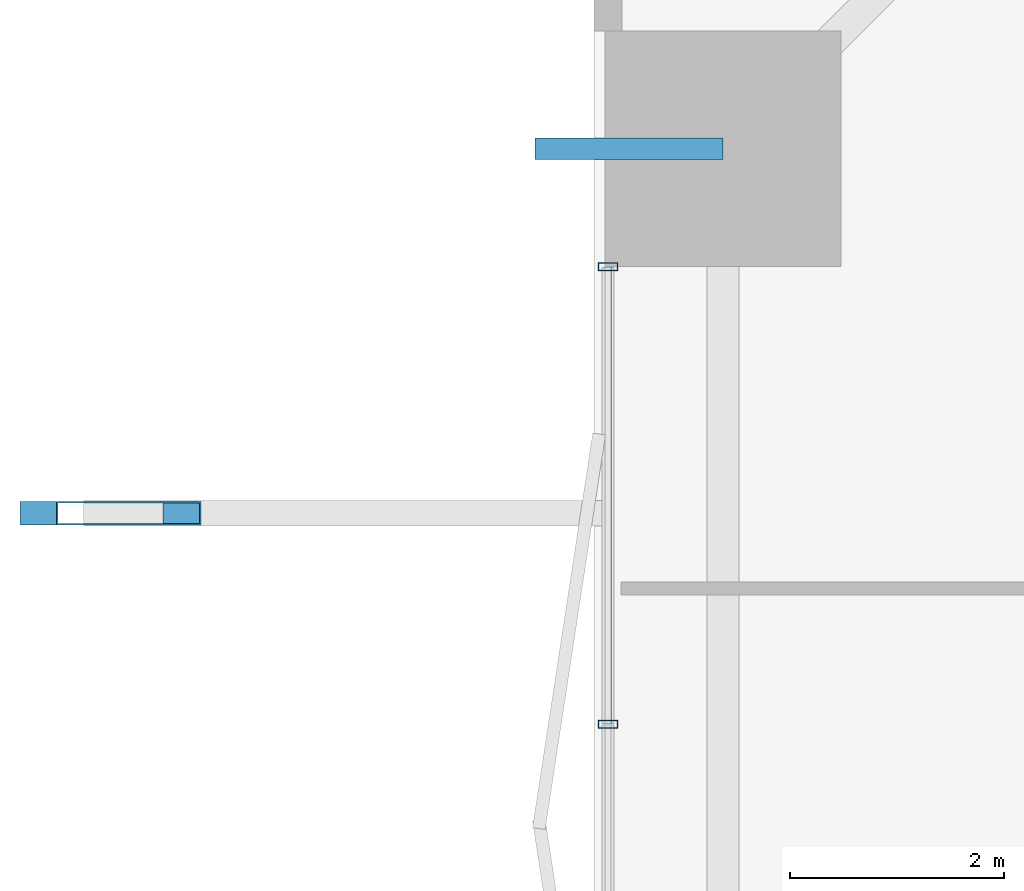
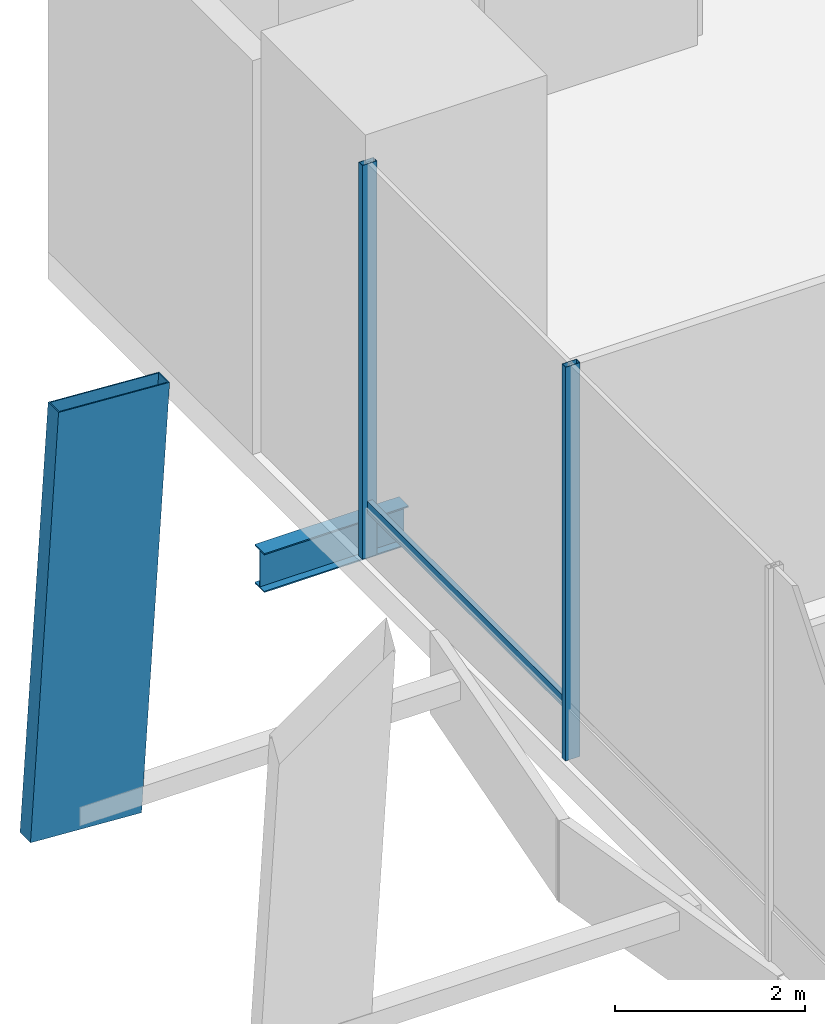
# One storey, part 11 of 24: 4 members, 1 beam, 1 element without a shape of its own.
"""IFC4 building model written with IfcOpenShell, lengths in metres."""

from ifc_helpers import new_model, si_unit, direction, frame, origin, origin_2d, place, context, subcontext, project, spatial, hollow_rectangle, i_section, extrude, material, layer, layer_set, material_profile, profile_set, type_object, element, aggregate, save


model = new_model("IFC4")

# Units and contexts
model_context = context("Model", 3, precision=1e-05, world=origin(), true_north=direction((0.0, 1.0)))
body_context = subcontext(model_context, "Body", "Model", "MODEL_VIEW")
ifc_project = project(units=[si_unit("LENGTHUNIT", "METRE"), si_unit("AREAUNIT", "SQUARE_METRE"), si_unit("VOLUMEUNIT", "CUBIC_METRE"), si_unit("PLANEANGLEUNIT", "RADIAN"), si_unit("MASSUNIT", "GRAM", prefix="KILO")], contexts=[model_context])

# Site, building, storey
site_placement = place(None, origin())
site = spatial("IfcSite", under=ifc_project, at=site_placement, CompositionType="ELEMENT")
building_placement = place(site_placement, origin())
building = spatial("IfcBuilding", under=site, at=building_placement, Name="Belovzor Exchange Tower", CompositionType="ELEMENT")
storey_placement = place(building_placement, frame((0.0, 0.0, 8.39990234375)))
storey = spatial("IfcBuildingStorey", under=building, at=storey_placement, Name="L02", CompositionType="ELEMENT", Elevation=8.39990234375)

# Member
ifc_material_1 = material(Name="Extruded Architectural Terracotta on Steel S355 Carrier", Category="masonry")
ifc_material_profile_1 = material_profile(ifc_material_1, hollow_rectangle(XDim=0.219970703125, YDim=1.35009765625, WallThickness=0.013916015625, at=origin_2d()))
ifc_profile_set_1 = profile_set([ifc_material_profile_1], Name="Extruded Architectural Terracotta on Steel S355 Carrier")
member_type_1 = type_object("IfcMemberType", Name="Base Arc Sweeping Terracotta Pylon Fin 1450", PredefinedType="USERDEFINED", material=ifc_profile_set_1)
member_1_placement = place(storey_placement, frame((-4.0810546875, 40.39990234375, -0.349853515625), z_axis=(0.063035616034, 0.0, 0.998011278048), x_axis=(0.0, 1.0, 0.0)))
element("IfcMember", 1, at=member_1_placement, inside=storey, type_object=member_type_1, Name="FIN-TC145 Terracotta Facade Fin L02 W4", ObjectType="FIN", PredefinedType="USERDEFINED", context=body_context, shape_type="SweptSolid", body=[
    extrude(hollow_rectangle(XDim=0.219970703125, YDim=1.35009765625, WallThickness=0.013916015625, at=origin_2d()), origin(), (0.0, 0.0, 1.0), 5.41064453125),
])

# Beam
ifc_material_2 = material(Name="Steel S355", Category="steel")
ifc_material_profile_2 = material_profile(ifc_material_2, i_section(OverallWidth=0.199951171875, OverallDepth=0.5, WebThickness=0.01025390625, FlangeThickness=0.01611328125, at=origin_2d()))
ifc_profile_set_2 = profile_set([ifc_material_profile_2], Name="Steel S355")
beam_type = type_object("IfcBeamType", Name="Planted Balcony Cantilever Beam IPE 500", PredefinedType="BEAM", material=ifc_profile_set_2)
beam_placement = place(storey_placement, frame((1.800048828125, 43.800048828125, -0.599853515625), z_axis=(-1.0, 0.0, 0.0), x_axis=(0.0, -1.0, 0.0)))
element("IfcBeam", 2, at=beam_placement, inside=storey, type_object=beam_type, Name="BC-500 Planted Balcony Cantilever Beam IPE 500", PredefinedType="BEAM", context=body_context, shape_type="SweptSolid", body=[
    extrude(i_section(OverallWidth=0.199951171875, OverallDepth=0.5, WebThickness=0.01025390625, FlangeThickness=0.01611328125, at=origin_2d()), origin(), (0.0, 0.0, 1.0), 1.75),
])

# Curtain wall, members
ifc_material_3 = material(Name="Anodised Aluminium Framing", Category="aluminium")
ifc_layer = layer(ifc_material_3, 0.219970703125)
ifc_layer_set = layer_set([ifc_layer], Name="Anodised Aluminium Framing")
curtain_wall_type = type_object("IfcCurtainWallType", Name="Podium Clear-Span Exchange Hall Unitised Curtain Wall", PredefinedType="NOTDEFINED", material=ifc_layer_set)
curtain_wall_placement = place(storey_placement, origin())
curtain_wall = element("IfcCurtainWall", 3, at=curtain_wall_placement, inside=storey, type_object=curtain_wall_type, Name="CW1 Podium Clear-Span Exchange Hall Unitised Curtain Wall L02", PredefinedType="NOTDEFINED")
ifc_material_4 = material(Name="Steel S355", Category="steel")
ifc_material_profile_3 = material_profile(ifc_material_4, hollow_rectangle(XDim=0.074951171875, YDim=0.179931640625, WallThickness=0.0048828125, at=origin_2d()))
ifc_profile_set_3 = profile_set([ifc_material_profile_3], Name="Steel S355")
member_type_2 = type_object("IfcMemberType", Name="Thermally Broken Curtain Wall Mullion 180x75", PredefinedType="MULLION", material=ifc_profile_set_3)
member_2_placement = place(storey_placement, frame((0.72998046875, 38.43310546875, 0.0), z_axis=(0.0, 0.0, 1.0), x_axis=(0.0, 1.0, 0.0)))
member_2 = element("IfcMember", 4, at=member_2_placement, type_object=member_type_2, Name="CW-M180 Curtain Wall Mullion 3", PredefinedType="MULLION", context=body_context, shape_type="SweptSolid", body=[
    extrude(hollow_rectangle(XDim=0.074951171875, YDim=0.179931640625, WallThickness=0.0048828125, at=origin_2d()), origin(), (0.0, 0.0, 1.0), 5.050048828125),
])
member_3_placement = place(storey_placement, frame((0.72998046875, 42.699951171875, 0.0), z_axis=(0.0, 0.0, 1.0), x_axis=(0.0, 1.0, 0.0)))
member_3 = element("IfcMember", 5, at=member_3_placement, type_object=member_type_2, Name="CW-M180 Curtain Wall Mullion 4", PredefinedType="MULLION", context=body_context, shape_type="SweptSolid", body=[
    extrude(hollow_rectangle(XDim=0.074951171875, YDim=0.179931640625, WallThickness=0.0048828125, at=origin_2d()), origin(), (0.0, 0.0, 1.0), 5.050048828125),
])
ifc_material_5 = material(Name="Steel S355", Category="steel")
ifc_material_profile_4 = material_profile(ifc_material_5, hollow_rectangle(XDim=0.06005859375, YDim=0.14990234375, WallThickness=0.00390625, at=origin_2d()))
ifc_profile_set_4 = profile_set([ifc_material_profile_4], Name="Steel S355")
member_type_3 = type_object("IfcMemberType", Name="Thermally Broken Curtain Wall Transom 150x60", PredefinedType="USERDEFINED", material=ifc_profile_set_4)
member_4_placement = place(storey_placement, frame((0.72998046875, 38.44091796875, 0.650146484375), z_axis=(0.0, 1.0, 0.0), x_axis=(-1.0, 0.0, 0.0)))
member_4 = element("IfcMember", 6, at=member_4_placement, type_object=member_type_3, Name="CW-T150 Curtain Wall Transom 3", ObjectType="TRANSOM", PredefinedType="USERDEFINED", context=body_context, shape_type="SweptSolid", body=[
    extrude(hollow_rectangle(XDim=0.06005859375, YDim=0.14990234375, WallThickness=0.00390625, at=origin_2d()), origin(), (0.0, 0.0, 1.0), 4.2509765625),
])
aggregate(curtain_wall, [member_2, member_3, member_4])

save(model, "model.ifc")
